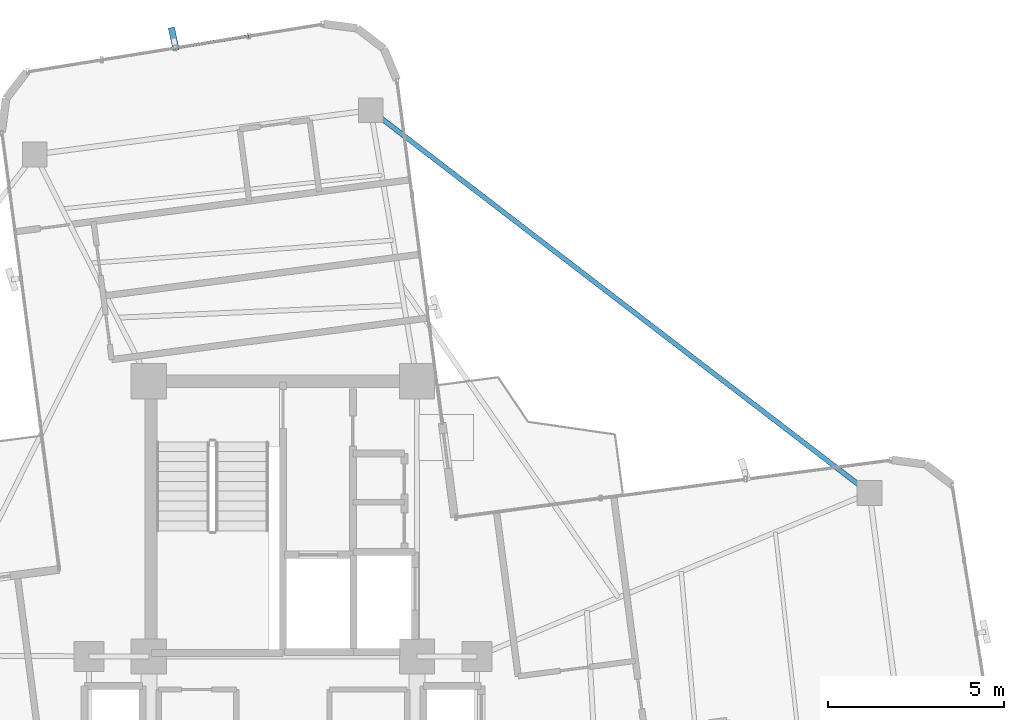
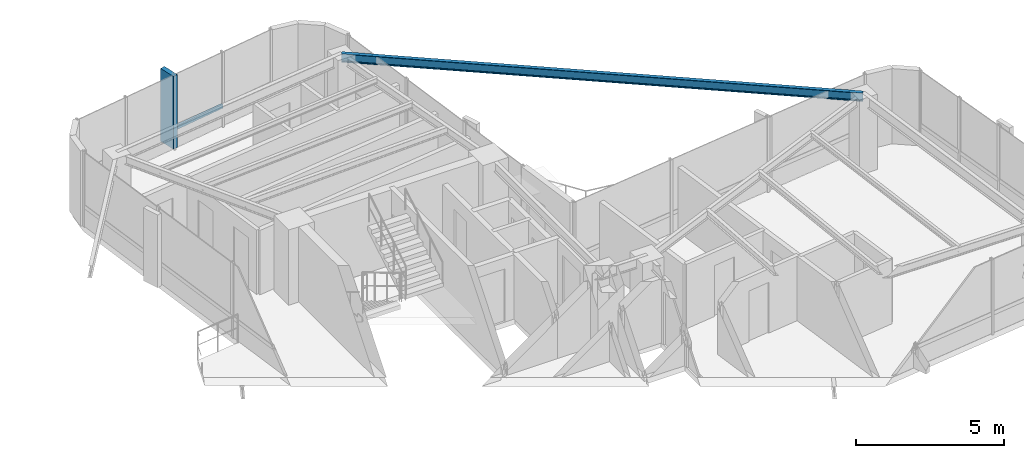
# One storey, part 14 of 21: 2 members, 1 beam, 1 element without a shape of its own.
"""IFC4 building model written with IfcOpenShell, lengths in metres."""

from ifc_helpers import new_model, si_unit, direction, frame, origin, origin_2d, place, context, subcontext, project, spatial, rectangle, hollow_rectangle, i_section, extrude, source, transform, mapped, material, material_profile, profile_set, type_object, element, aggregate, save


model = new_model("IFC4")

# Units and contexts
model_context = context("Model", 3, precision=1e-05, world=origin(), true_north=direction((0.0, 1.0)))
body_context = subcontext(model_context, "Body", "Model", "MODEL_VIEW")
ifc_project = project(units=[si_unit("LENGTHUNIT", "METRE"), si_unit("AREAUNIT", "SQUARE_METRE"), si_unit("VOLUMEUNIT", "CUBIC_METRE"), si_unit("PLANEANGLEUNIT", "RADIAN"), si_unit("MASSUNIT", "GRAM", prefix="KILO")], contexts=[model_context])

# Site, building, storey
site_placement = place(None, origin())
site = spatial("IfcSite", under=ifc_project, at=site_placement, CompositionType="ELEMENT")
building_placement = place(site_placement, origin())
building = spatial("IfcBuilding", under=site, at=building_placement, Name="Sahyath Konkavel Grand Hotel", CompositionType="ELEMENT")
storey_placement = place(building_placement, frame((0.0, 0.0, 209.85009765625)))
storey = spatial("IfcBuildingStorey", under=building, at=storey_placement, Name="L58", CompositionType="ELEMENT", Elevation=209.85009765625)

# Beam
ifc_material_1 = material(Name="Steel E350", Category="steel")
ifc_material_profile_1 = material_profile(ifc_material_1, i_section(OverallWidth=0.139892578125, OverallDepth=0.35009765625, WebThickness=0.008056640625, FlangeThickness=0.01416015625, FilletRadius=0.013916015625, at=origin_2d()), Name="ISMB 350")
ifc_profile_set_1 = profile_set([ifc_material_profile_1], Name="Steel E350")
beam_type = type_object("IfcBeamType", Name="BM-ISMB350", PredefinedType="BEAM", material=ifc_profile_set_1)
shared_shape_1 = source(origin(), body_context, "Body", "SweptSolid", [
    extrude(i_section(OverallWidth=0.139892578125, OverallDepth=0.35009765625, WebThickness=0.008056640625, FlangeThickness=0.01416015625, FilletRadius=0.013916015625, at=origin_2d()), origin(), (0.0, 0.0, 1.0), 17.819091796875),
])
beam_placement = place(storey_placement, frame((16.62451171875, 7.030029296875, 2.934814453125), z_axis=(-0.793348720932, 0.608767449027, 0.0), x_axis=(-0.608767449027, -0.793348720932, 0.0)))
element("IfcBeam", 1, at=beam_placement, inside=storey, type_object=beam_type, Name="L58 Re-Entrant Tie Beam NE", PredefinedType="BEAM", context=body_context, shape_type="MappedRepresentation", body=[
    mapped(shared_shape_1, transform((0.0, 0.0, 0.0), scale=1.0)),
])

# Curtain wall, members
ifc_material_2 = material(Name="Anodised Bronze Aluminium & Low-E Glazing", Category="aluminium")
curtain_wall_type = type_object("IfcCurtainWallType", Name="CW-ZONE4", PredefinedType="NOTDEFINED", material=ifc_material_2)
curtain_wall_placement = place(storey_placement, origin())
curtain_wall = element("IfcCurtainWall", 2, at=curtain_wall_placement, inside=storey, type_object=curtain_wall_type, Name="L58 Unitised Curtain Wall F12", PredefinedType="NOTDEFINED")
ifc_material_3 = material(Name="Warm Buff Sandstone Cladding on Concrete C50/60", Category="masonry")
ifc_material_profile_2 = material_profile(ifc_material_3, rectangle(XDim=0.179931640625, YDim=0.64990234375, at=origin_2d()), Name="FIN 180x650")
ifc_profile_set_2 = profile_set([ifc_material_profile_2], Name="Warm Buff Sandstone Cladding on Concrete C50/60")
member_type_1 = type_object("IfcMemberType", Name="FIN-SANDSTONE-650", PredefinedType="MULLION", material=ifc_profile_set_2)
shared_shape_2 = source(origin(), body_context, "Body", "SweptSolid", [
    extrude(rectangle(XDim=0.179931640625, YDim=0.64990234375, at=origin_2d()), origin(), (0.0, 0.0, 1.0), 3.010009765625),
])
member_1_placement = place(storey_placement, frame((-3.09423828125, 19.90234375, 0.0498046875), z_axis=(0.0, 0.0, 1.0), x_axis=(0.977746636525, 0.209789215079, 0.0)))
member_1 = element("IfcMember", 3, at=member_1_placement, type_object=member_type_1, Name="L58 Sandstone Vertical Solar Fin FIN F12-2", PredefinedType="MULLION", context=body_context, shape_type="MappedRepresentation", body=[
    mapped(shared_shape_2, transform((0.0, 0.0, 0.0), scale=1.0)),
])
ifc_material_4 = material(Name="Anodised Bronze Aluminium", Category="aluminium")
ifc_material_profile_3 = material_profile(ifc_material_4, hollow_rectangle(XDim=0.080078125, YDim=0.159912109375, WallThickness=0.006103515625, at=origin_2d()), Name="RHS 160x80x6")
ifc_profile_set_3 = profile_set([ifc_material_profile_3], Name="Anodised Bronze Aluminium")
member_type_2 = type_object("IfcMemberType", Name="CW-TRN-160", PredefinedType="USERDEFINED", material=ifc_profile_set_3)
shared_shape_3 = source(origin(), body_context, "Body", "SweptSolid", [
    extrude(hollow_rectangle(XDim=0.080078125, YDim=0.159912109375, WallThickness=0.006103515625, at=origin_2d()), origin(), (0.0, 0.0, 1.0), 2.112060546875),
])
member_2_placement = place(storey_placement, frame((-0.9677734375, 19.982177734375, 0.849853515625), z_axis=(-0.98721238085, -0.159410523793, 0.0), x_axis=(0.159410523793, -0.98721238085, 0.0)))
member_2 = element("IfcMember", 4, at=member_2_placement, type_object=member_type_2, Name="L58 Curtain Wall Transom F12-1-spandrel", ObjectType="TRANSOM", PredefinedType="USERDEFINED", context=body_context, shape_type="MappedRepresentation", body=[
    mapped(shared_shape_3, transform((0.0, 0.0, 0.0), scale=1.0)),
])
aggregate(curtain_wall, [member_1, member_2])

save(model, "model.ifc")
